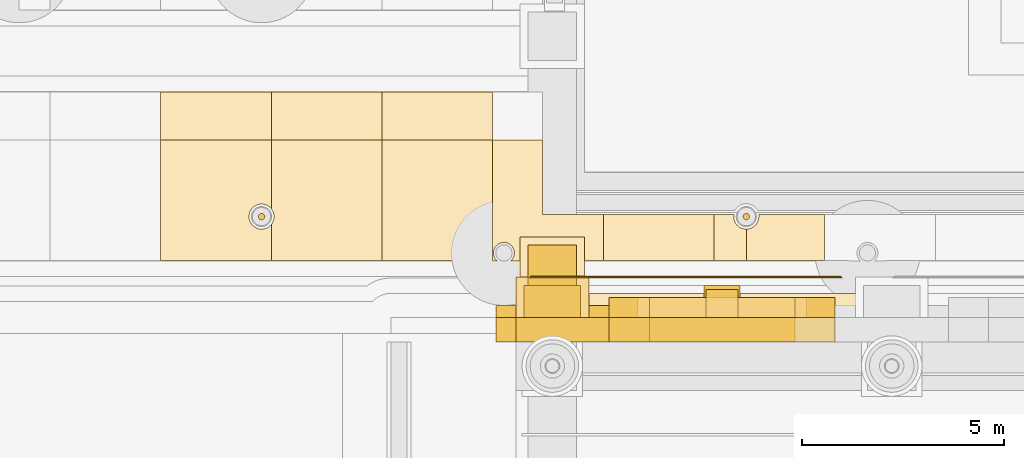
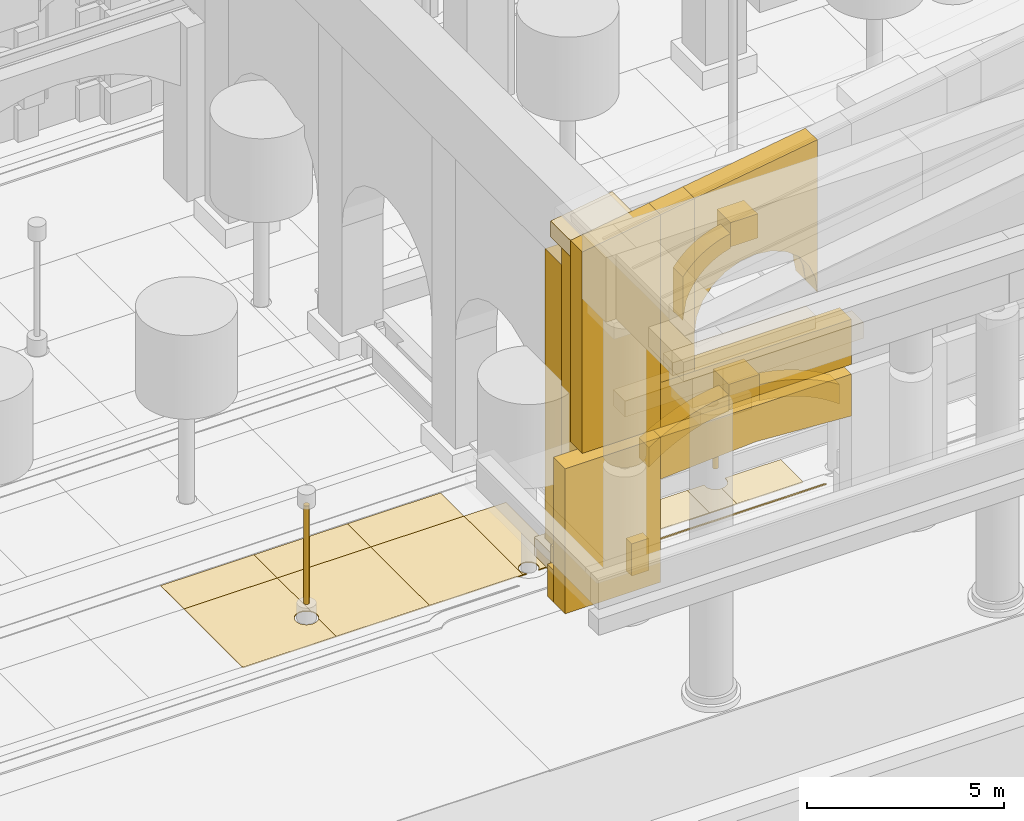
# One storey, part 110 of 222: 34 coverings.
"""IFC4 building model written with IfcOpenShell, lengths in metres."""

from ifc_helpers import new_model, si_unit, direction, frame, origin, origin_2d, place, context, subcontext, project, spatial, polyline, rectangle, circle, outline, extrude, material, layer, layer_set, type_object, element, save


model = new_model("IFC4")

# Units and contexts
model_context = context("Model", 3, precision=1e-05, world=origin(), true_north=direction((0.0, 1.0)))
body_context = subcontext(model_context, "Body", "Model", "MODEL_VIEW")
ifc_project = project(units=[si_unit("LENGTHUNIT", "METRE"), si_unit("AREAUNIT", "SQUARE_METRE"), si_unit("VOLUMEUNIT", "CUBIC_METRE"), si_unit("PLANEANGLEUNIT", "RADIAN"), si_unit("MASSUNIT", "GRAM", prefix="KILO")], contexts=[model_context])

# Site, building, storey
site_placement = place(None, origin())
site = spatial("IfcSite", under=ifc_project, at=site_placement, CompositionType="ELEMENT")
building_placement = place(site_placement, origin())
building = spatial("IfcBuilding", under=site, at=building_placement, Name="Sava Quay Ferry Terminal", CompositionType="ELEMENT")
storey_placement = place(building_placement, origin())
storey = spatial("IfcBuildingStorey", under=building, at=storey_placement, Name="L00", CompositionType="ELEMENT", Elevation=0.0)

# Coverings
ifc_material_1 = material(Name="Limestone Mutalj", Category="masonry")
ifc_layer_1 = layer(ifc_material_1, 0.60009765625)
ifc_layer_set_1 = layer_set([ifc_layer_1], Name="Limestone Mutalj")
covering_type_1 = type_object("IfcCoveringType", Name="Arcade spandrel 600", PredefinedType="CLADDING", material=ifc_layer_set_1)
covering_1_placement = place(storey_placement, frame((26.60009765625, 0.39990234375, 3.199951171875), z_axis=(0.0, 1.0, 0.0), x_axis=(0.0, 0.0, 1.0)))
element("IfcCovering", 1, at=covering_1_placement, inside=storey, type_object=covering_type_1, Name="Arcade spandrel", PredefinedType="CLADDING", context=body_context, shape_type="SweptSolid", body=[
    extrude(outline(polyline([(0.0, 0.0), (1.300048828125, 0.0), (1.300048828125, 5.599853515625), (0.0, 5.599853515625), (0.334228515625, 0.500244140625), (0.60009765625, 1.039794921875), (0.79345703125, 1.609619140625), (0.91064453125, 2.19970703125), (0.949951171875, 2.7998046875), (0.91064453125, 3.400146484375), (0.79345703125, 3.990234375), (0.60009765625, 4.56005859375), (0.334228515625, 5.099609375), (0.0, 0.0)])), origin(), (0.0, 0.0, -1.0), 0.60009765625),
])
ifc_material_2 = material(Name="Limestone Mutalj", Category="masonry")
ifc_layer_2 = layer(ifc_material_2, 0.60009765625)
ifc_layer_set_2 = layer_set([ifc_layer_2], Name="Limestone Mutalj")
covering_type_2 = type_object("IfcCoveringType", Name="Arcade wall pier 2800", PredefinedType="CLADDING", material=ifc_layer_set_2)
covering_2_placement = place(storey_placement, frame((25.199951171875, 0.10009765625, 0.0), z_axis=(0.0, 0.0, 1.0), x_axis=(1.0, 0.0, 0.0)))
element("IfcCovering", 2, at=covering_2_placement, inside=storey, type_object=covering_type_2, Name="Arcade wall pier", PredefinedType="CLADDING", context=body_context, shape_type="SweptSolid", body=[
    extrude(rectangle(XDim=2.800048828125, YDim=0.60009765625, at=origin_2d()), origin(), (0.0, 0.0, 1.0), 4.5),
])
ifc_material_3 = material(Name="Limestone Mutalj", Category="masonry")
ifc_layer_3 = layer(ifc_material_3, 0.5)
ifc_layer_set_3 = layer_set([ifc_layer_3], Name="Limestone Mutalj")
covering_type_3 = type_object("IfcCoveringType", Name="Arch archivolt 500", PredefinedType="MOLDING", material=ifc_layer_set_3)
covering_3_placement = place(storey_placement, frame((26.60009765625, 0.39990234375, 3.199951171875), z_axis=(0.0, -1.0, 0.0), x_axis=(0.806852823611, 0.0, 0.590752504041)))
element("IfcCovering", 3, at=covering_3_placement, inside=storey, type_object=covering_type_3, Name="Arch archivolt", PredefinedType="MOLDING", context=body_context, shape_type="SweptSolid", body=[
    extrude(outline(polyline([(0.0, 0.0), (0.20787509749840927, 0.0), (0.40945697969939554, -0.009008576554329961), (0.604640128868794, -0.02634330518659722), (0.7946838762252251, -0.05111072595207916), (0.979050023977853, -0.08321937103230143), (1.1589979033452982, -0.12177578048254145), (1.333989316536725, -0.16668848648432477), (1.5047066880285258, -0.21785197130348632), (1.671188726772093, -0.2743868249109943), (1.8335409505015914, -0.33697547178324117), (1.991802068168413, -0.40473850189119476), (2.1465102775633937, -0.4777673830533299), (2.2971273808956973, -0.5559706474511719), (2.44419157595616, -0.6394397629031952), (2.7408658681467877, -0.23424048112394869), (2.5948112598852235, -0.14939246680344964), (2.4457806500940458, -0.06902236132657413), (2.2930916142968627, 0.0067643175725125015), (2.1371381235989517, 0.07767911652269655), (1.9775262068950354, 0.14401048889509205), (1.8145056086048346, 0.2052729957659455), (1.6475381309375143, 0.26155810495373144), (1.4770177449983528, 0.3125773630873362), (1.3021177996254005, 0.35802826687995526), (1.1235207192950503, 0.3980163340657535), (0.9402556261597954, 0.4320420758052873), (0.7525722646393578, 0.45962005317480337), (0.5597882102573449, 0.48064474844013677), (0.36215320743347845, 0.49463072267753416), (0.0, 0.0)])), origin(), (0.0, 0.0, -1.0), 0.5),
])
covering_4_placement = place(storey_placement, frame((29.85009765625, 0.39990234375, 4.1279296875), z_axis=(0.0, -1.0, 0.0), x_axis=(0.993288078375, 0.0, -0.115666734017)))
element("IfcCovering", 4, at=covering_4_placement, inside=storey, type_object=covering_type_3, Name="Arch archivolt", PredefinedType="MOLDING", context=body_context, shape_type="SweptSolid", body=[
    extrude(outline(polyline([(0.0, 0.0), (0.16885797084105578, 0.0), (0.33869265632147405, -0.006276812330012302), (0.5090472914454706, -0.01912941685976586), (0.6803786412088295, -0.03825883371953173), (0.8522299406157668, -0.06396404277903885), (1.0251709104570055, -0.09691607205759628), (1.198660068890557, -0.13668639550815445), (1.373267136707145, -0.18394604115002247), (1.5485635878597195, -0.23923649082518875), (1.7250061873440647, -0.3022587646639243), (1.9022793649080703, -0.3745243523972557), (2.0808398855475203, -0.4557342741554538), (2.2603721790103046, -0.5474000196695452), (2.4414177271384108, -0.6499501149865796), (2.3705097268655018, -0.041027662642972085), (2.191469144097561, 0.0443047926436376), (2.0136594265075956, 0.12117791784989947), (1.8365673312023516, 0.18977773705060355), (1.6606213842288784, 0.2506457320877383), (1.4853083426939224, 0.3039679270360939), (1.3110002547470634, 0.3507708076821776), (1.1372685943412522, 0.3905128921840011), (0.9645136485748037, 0.42397816435581226), (0.7922504135031985, 0.4511101463001416), (0.6209356541222211, 0.47220781788671823), (0.4500561275386178, 0.4874572031903321), (0.2800968376969075, 0.49691478010845264), (0.1105727806525713, 0.5005240707436104), (-0.05808751754734136, 0.49882655693779393), (0.0, 0.0)])), origin(), (0.0, 0.0, -1.0), 0.5),
])
ifc_material_4 = material(Name="Limestone Mutalj", Category="masonry")
ifc_layer_4 = layer(ifc_material_4, 0.800048828125)
ifc_layer_set_4 = layer_set([ifc_layer_4], Name="Limestone Mutalj")
covering_type_4 = type_object("IfcCoveringType", Name="Arch keystone 900", PredefinedType="CLADDING", material=ifc_layer_set_4)
covering_5_placement = place(storey_placement, frame((29.39990234375, 0.800048828125, 4.14990234375), z_axis=(0.0, 0.0, 1.0), x_axis=(1.0, 0.0, 0.0)))
element("IfcCovering", 5, at=covering_5_placement, inside=storey, type_object=covering_type_4, Name="Arch keystone", PredefinedType="CLADDING", context=body_context, shape_type="SweptSolid", body=[
    extrude(rectangle(XDim=0.89990234375, YDim=0.800048828125, at=origin_2d()), origin(), (0.0, 0.0, 1.0), 0.800048828125),
])
ifc_material_5 = material(Name="Limestone Mutalj", Category="masonry")
ifc_layer_5 = layer(ifc_material_5, 0.60009765625)
ifc_layer_set_5 = layer_set([ifc_layer_5], Name="Limestone Mutalj")
covering_type_5 = type_object("IfcCoveringType", Name="Attic arch head panel 600", PredefinedType="CLADDING", material=ifc_layer_set_5)
covering_6_placement = place(storey_placement, frame((27.60009765625, -0.199951171875, 7.39990234375), z_axis=(0.0, -1.0, 0.0), x_axis=(0.130360467782, 0.0, 0.991466665319)))
element("IfcCovering", 6, at=covering_6_placement, inside=storey, type_object=covering_type_5, Name="Attic arch head panel", PredefinedType="CLADDING", context=body_context, shape_type="SweptSolid", body=[
    extrude(outline(polyline([(0.0, 0.0), (0.47007576696975106, -6.938893903907228e-18), (0.9239096038088954, -0.12180908706656961), (1.3307996686807666, -0.3566594363796859), (1.6628474956806976, -0.6890123392533513), (1.8978308560459949, -1.095934230411302), (2.0193117900114737, -1.5497911444778028), (2.0193117900114737, -2.019866911447554), (1.8975027029449039, -2.473700748286698), (1.6626523536317879, -2.880590813158569), (1.3302994507581225, -3.2126386401585), (0.9233775596001718, -3.4476220005237974), (0.46927858824233326, -3.5691347607753556), (5.148972201675358, -2.9538371720002434), (4.126108588143555, 0.5425108725112793), (0.0, 0.0)])), origin(), (0.0, 0.0, -1.0), 0.60009765625),
])
ifc_material_6 = material(Name="Limestone Mutalj", Category="masonry")
ifc_layer_6 = layer(ifc_material_6, 0.60009765625)
ifc_layer_set_6 = layer_set([ifc_layer_6], Name="Limestone Mutalj")
covering_type_6 = type_object("IfcCoveringType", Name="Attic wall pier 2800", PredefinedType="CLADDING", material=ifc_layer_set_6)
covering_7_placement = place(storey_placement, frame((24.300048828125, -0.199951171875, 4.800048828125), z_axis=(0.0, -1.0, 0.0), x_axis=(1.0, 0.0, 0.0)))
element("IfcCovering", 7, at=covering_7_placement, inside=storey, type_object=covering_type_6, Name="Attic wall pier", PredefinedType="CLADDING", context=body_context, shape_type="SweptSolid", body=[
    extrude(outline(polyline([(0.0, 0.0), (2.300048828125, 0.0), (2.300048828125, 6.6064453125), (0.0, 6.25), (0.0, 0.0)])), origin(), (0.0, 0.0, -1.0), 0.60009765625),
])
ifc_material_7 = material(Name="Limestone Mutalj", Category="masonry")
ifc_layer_7 = layer(ifc_material_7, 0.60009765625)
ifc_layer_set_7 = layer_set([ifc_layer_7], Name="Limestone Mutalj")
covering_type_7 = type_object("IfcCoveringType", Name="Attic window jamb panel 600", PredefinedType="CLADDING", material=ifc_layer_set_7)
covering_8_placement = place(storey_placement, frame((26.60009765625, -0.199951171875, 6.199951171875), z_axis=(0.0, -1.0, 0.0), x_axis=(1.0, 0.0, 0.0)))
element("IfcCovering", 8, at=covering_8_placement, inside=storey, type_object=covering_type_7, Name="Attic window jamb panel", PredefinedType="CLADDING", context=body_context, shape_type="SweptSolid", body=[
    extrude(outline(polyline([(0.0, 0.0), (1.0, 0.0), (1.0, 5.361572265625), (0.0, 5.20654296875), (0.0, 0.0)])), origin(), (0.0, 0.0, -1.0), 0.60009765625),
])
ifc_material_8 = material(Name="Limestone Mutalj", Category="masonry")
ifc_layer_8 = layer(ifc_material_8, 0.60009765625)
ifc_layer_set_8 = layer_set([ifc_layer_8], Name="Limestone Mutalj")
covering_type_8 = type_object("IfcCoveringType", Name="Attic window sill panel 600", PredefinedType="CLADDING", material=ifc_layer_set_8)
covering_9_placement = place(storey_placement, frame((26.60009765625, -0.199951171875, 4.800048828125), z_axis=(0.0, -1.0, 0.0), x_axis=(1.0, 0.0, 0.0)))
element("IfcCovering", 9, at=covering_9_placement, inside=storey, type_object=covering_type_8, Name="Attic window sill panel", PredefinedType="CLADDING", context=body_context, shape_type="SweptSolid", body=[
    extrude(outline(polyline([(0.0, 0.0), (5.599853515625, 0.0), (5.599853515625, 1.39990234375), (0.0, 1.39990234375), (0.0, 0.0)])), origin(), (0.0, 0.0, -1.0), 0.60009765625),
])
ifc_material_9 = material(Name="Limestone Mutalj", Category="masonry")
ifc_layer_9 = layer(ifc_material_9, 0.800048828125)
ifc_layer_set_9 = layer_set([ifc_layer_9], Name="Limestone Mutalj")
covering_type_9 = type_object("IfcCoveringType", Name="Back wall pilaster 800", PredefinedType="CLADDING", material=ifc_layer_set_9)
covering_10_placement = place(storey_placement, frame((24.5, 0.39990234375, 1.0), z_axis=(0.0, -1.0, 0.0), x_axis=(1.0, 0.0, 0.0)))
element("IfcCovering", 10, at=covering_10_placement, inside=storey, type_object=covering_type_9, Name="Back wall pilaster", PredefinedType="CLADDING", context=body_context, shape_type="SweptSolid", body=[
    extrude(outline(polyline([(0.0, 0.0), (1.39990234375, 0.0), (1.39990234375, 9.798095703125), (0.0, 9.5810546875), (0.0, 0.0)])), origin(), (0.0, 0.0, -1.0), 0.800048828125),
])
ifc_material_10 = material(Name="Limestone Mutalj", Category="masonry")
ifc_layer_10 = layer(ifc_material_10, 1.0)
ifc_layer_set_10 = layer_set([ifc_layer_10], Name="Limestone Mutalj")
covering_type_10 = type_object("IfcCoveringType", Name="Back wall pilaster base 1000", PredefinedType="MOLDING", material=ifc_layer_set_10)
covering_11_placement = place(storey_placement, frame((25.199951171875, 0.89990234375, 0.0), z_axis=(0.0, 0.0, 1.0), x_axis=(1.0, 0.0, 0.0)))
element("IfcCovering", 11, at=covering_11_placement, inside=storey, type_object=covering_type_10, Name="Back wall pilaster base", PredefinedType="MOLDING", context=body_context, shape_type="SweptSolid", body=[
    extrude(rectangle(XDim=1.800048828125, YDim=1.0, at=origin_2d()), origin(), (0.0, 0.0, 1.0), 1.0),
])
ifc_material_11 = material(Name="Limestone Mutalj", Category="masonry")
ifc_layer_11 = layer(ifc_material_11, 1.0)
ifc_layer_set_11 = layer_set([ifc_layer_11], Name="Limestone Mutalj")
covering_type_11 = type_object("IfcCoveringType", Name="Back wall pilaster capital 1000", PredefinedType="MOLDING", material=ifc_layer_set_11)
covering_12_placement = place(storey_placement, frame((24.300048828125, 0.39990234375, 10.550048828125), z_axis=(0.0, -1.0, 0.0), x_axis=(0.988195952481, 0.0, 0.153195168003)))
element("IfcCovering", 12, at=covering_12_placement, inside=storey, type_object=covering_type_11, Name="Back wall pilaster capital", PredefinedType="MOLDING", context=body_context, shape_type="SweptSolid", body=[
    extrude(outline(polyline([(0.0, 0.0), (1.8215504967462062, 0.0), (1.8981480807477107, 0.4940979762406768), (0.07659758400150464, 0.49409797624067686), (0.0, 0.0)])), origin(), (0.0, 0.0, -1.0), 1.0),
])
ifc_material_12 = material(Name="Basalt setts", Category="masonry")
ifc_layer_12 = layer(ifc_material_12, 0.02001953125)
ifc_layer_set_12 = layer_set([ifc_layer_12], Name="Basalt setts")
covering_type_12 = type_object("IfcCoveringType", Name="Basalt inlay line 20", PredefinedType="FLOORING", material=ifc_layer_set_12)
covering_13_placement = place(storey_placement, frame((0.0, 0.0, 0.050048828125)))
element("IfcCovering", 13, at=covering_13_placement, inside=storey, type_object=covering_type_12, Name="Basalt inlay line", PredefinedType="FLOORING", context=body_context, shape_type="SweptSolid", body=[
    extrude(outline(polyline([(32.3759765625, 1.3798828125), (32.339111328125, 1.419921875), (24.659912109375, 1.419921875), (24.6240234375, 1.3798828125), (32.3759765625, 1.3798828125)])), origin(), (0.0, 0.0, 1.0), 0.02001953125),
])
ifc_material_13 = material(Name="Limestone Mutalj", Category="masonry")
ifc_layer_13 = layer(ifc_material_13, 0.030029296875)
ifc_layer_set_13 = layer_set([ifc_layer_13], Name="Limestone Mutalj")
covering_type_13 = type_object("IfcCoveringType", Name="Court paving tile 30", PredefinedType="FLOORING", material=ifc_layer_set_13)
covering_14_placement = place(storey_placement, origin())
element("IfcCovering", 14, at=covering_14_placement, inside=storey, type_object=covering_type_13, Name="Limestone paving tile", PredefinedType="FLOORING", context=body_context, shape_type="SweptSolid", body=[
    extrude(outline(polyline([(18.239990234375, 4.800048828125), (18.239990234375, 5.989990234375), (15.5, 5.989990234375), (15.5, 4.800048828125), (18.239990234375, 4.800048828125)])), origin(), (0.0, 0.0, 1.0), 0.030029296875),
])
covering_15_placement = place(storey_placement, origin())
element("IfcCovering", 15, at=covering_15_placement, inside=storey, type_object=covering_type_13, Name="Limestone paving tile", PredefinedType="FLOORING", context=body_context, shape_type="SweptSolid", body=[
    extrude(outline(polyline([(18.239990234375, 4.800048828125), (18.239990234375, 3.095947265625), (18.258056640625, 3.072021484375), (18.27392578125, 3.0458984375), (18.287109375, 3.01806640625), (18.2958984375, 2.989990234375), (18.303955078125, 2.9599609375), (18.30908203125, 2.929931640625), (18.31005859375, 2.89990234375), (18.30908203125, 2.8701171875), (18.303955078125, 2.840087890625), (18.2958984375, 2.81005859375), (18.287109375, 2.781982421875), (18.27392578125, 2.75390625), (18.258056640625, 2.72802734375), (18.239990234375, 2.7041015625), (18.239990234375, 1.81005859375), (20.97998046875, 1.81005859375), (20.97998046875, 4.800048828125), (18.239990234375, 4.800048828125)])), origin(), (0.0, 0.0, 1.0), 0.030029296875),
])
covering_16_placement = place(storey_placement, origin())
element("IfcCovering", 16, at=covering_16_placement, inside=storey, type_object=covering_type_13, Name="Limestone paving tile", PredefinedType="FLOORING", context=body_context, shape_type="SweptSolid", body=[
    extrude(outline(polyline([(23.719970703125, 4.800048828125), (23.719970703125, 5.989990234375), (20.97998046875, 5.989990234375), (20.97998046875, 4.800048828125), (23.719970703125, 4.800048828125)])), origin(), (0.0, 0.0, 1.0), 0.030029296875),
])
covering_17_placement = place(storey_placement, origin())
element("IfcCovering", 17, at=covering_17_placement, inside=storey, type_object=covering_type_13, Name="Limestone paving tile", PredefinedType="FLOORING", context=body_context, shape_type="SweptSolid", body=[
    extrude(outline(polyline([(24.4580078125, 1.81005859375), (26.4599609375, 1.81005859375), (26.4599609375, 2.949951171875), (24.949951171875, 2.949951171875), (24.949951171875, 4.800048828125), (23.719970703125, 4.800048828125), (23.719970703125, 1.800048828125), (23.833984375, 1.800048828125), (23.799072265625, 1.8349609375), (23.77001953125, 1.8779296875), (23.7509765625, 1.924072265625), (23.7451171875, 1.948974609375), (23.740966796875, 1.97412109375), (23.739990234375, 2.0), (23.740966796875, 2.02587890625), (23.7509765625, 2.075927734375), (23.760009765625, 2.10009765625), (23.77099609375, 2.123046875), (23.799072265625, 2.1650390625), (23.8349609375, 2.200927734375), (23.85498046875, 2.216064453125), (23.876953125, 2.22900390625), (23.89990234375, 2.239990234375), (23.925048828125, 2.2490234375), (23.97509765625, 2.259033203125), (24.0, 2.260009765625), (24.02587890625, 2.259033203125), (24.074951171875, 2.2490234375), (24.10009765625, 2.239990234375), (24.123046875, 2.22900390625), (24.1650390625, 2.200927734375), (24.200927734375, 2.1650390625), (24.216064453125, 2.14404296875), (24.22900390625, 2.123046875), (24.2490234375, 2.074951171875), (24.2548828125, 2.051025390625), (24.259033203125, 2.02490234375), (24.260009765625, 2.0), (24.259033203125, 1.97509765625), (24.2548828125, 1.948974609375), (24.2490234375, 1.924072265625), (24.22900390625, 1.876953125), (24.216064453125, 1.85498046875), (24.200927734375, 1.8349609375), (24.166015625, 1.800048828125), (24.447021484375, 1.800048828125), (24.450927734375, 1.80810546875), (24.4580078125, 1.81005859375)])), origin(), (0.0, 0.0, 1.0), 0.030029296875),
])
covering_18_placement = place(storey_placement, origin())
element("IfcCovering", 18, at=covering_18_placement, inside=storey, type_object=covering_type_13, Name="Limestone paving tile", PredefinedType="FLOORING", context=body_context, shape_type="SweptSolid", body=[
    extrude(outline(polyline([(29.199951171875, 2.949951171875), (29.199951171875, 1.81005859375), (30.0, 1.81005859375), (30.0, 2.590087890625), (29.968994140625, 2.592041015625), (29.93896484375, 2.595947265625), (29.881103515625, 2.614013671875), (29.85302734375, 2.626953125), (29.826904296875, 2.64306640625), (29.802978515625, 2.660888671875), (29.780029296875, 2.680908203125), (29.760009765625, 2.7041015625), (29.741943359375, 2.72802734375), (29.72607421875, 2.75390625), (29.712890625, 2.781982421875), (29.702880859375, 2.81005859375), (29.69091796875, 2.8701171875), (29.68994140625, 2.89990234375), (29.695068359375, 2.949951171875), (29.199951171875, 2.949951171875)])), origin(), (0.0, 0.0, 1.0), 0.030029296875),
])
covering_19_placement = place(storey_placement, origin())
element("IfcCovering", 19, at=covering_19_placement, inside=storey, type_object=covering_type_13, Name="Limestone paving tile", PredefinedType="FLOORING", context=body_context, shape_type="SweptSolid", body=[
    extrude(outline(polyline([(30.0, 2.590087890625), (30.0, 1.81005859375), (31.93994140625, 1.81005859375), (31.93994140625, 2.949951171875), (30.305908203125, 2.949951171875), (30.30908203125, 2.929931640625), (30.31005859375, 2.89990234375), (30.30810546875, 2.868896484375), (30.303955078125, 2.839111328125), (30.285888671875, 2.781005859375), (30.27294921875, 2.7529296875), (30.257080078125, 2.72705078125), (30.239013671875, 2.702880859375), (30.218994140625, 2.679931640625), (30.196044921875, 2.659912109375), (30.172119140625, 2.64208984375), (30.14599609375, 2.6259765625), (30.117919921875, 2.613037109375), (30.090087890625, 2.60302734375), (30.030029296875, 2.591064453125), (30.0, 2.590087890625)])), origin(), (0.0, 0.0, 1.0), 0.030029296875),
])
ifc_material_14 = material(Name="Red sandstone Vrsac", Category="masonry")
ifc_layer_14 = layer(ifc_material_14, 0.030029296875)
ifc_layer_set_14 = layer_set([ifc_layer_14], Name="Red sandstone Vrsac")
covering_type_14 = type_object("IfcCoveringType", Name="Court paving tile sandstone 30", PredefinedType="FLOORING", material=ifc_layer_set_14)
covering_20_placement = place(storey_placement, origin())
element("IfcCovering", 20, at=covering_20_placement, inside=storey, type_object=covering_type_14, Name="Sandstone paving tile", PredefinedType="FLOORING", context=body_context, shape_type="SweptSolid", body=[
    extrude(outline(polyline([(18.239990234375, 1.81005859375), (18.239990234375, 2.7041015625), (18.218994140625, 2.679931640625), (18.196044921875, 2.659912109375), (18.173095703125, 2.64306640625), (18.14599609375, 2.6259765625), (18.118896484375, 2.614013671875), (18.090087890625, 2.60400390625), (18.06103515625, 2.595947265625), (18.031005859375, 2.592041015625), (18.0, 2.590087890625), (17.969970703125, 2.591064453125), (17.93994140625, 2.595947265625), (17.909912109375, 2.60400390625), (17.881103515625, 2.614013671875), (17.85302734375, 2.626953125), (17.826904296875, 2.64306640625), (17.803955078125, 2.659912109375), (17.780029296875, 2.680908203125), (17.760986328125, 2.702880859375), (17.742919921875, 2.72705078125), (17.72607421875, 2.75390625), (17.712890625, 2.781982421875), (17.7041015625, 2.81005859375), (17.696044921875, 2.840087890625), (17.69091796875, 2.8701171875), (17.68994140625, 2.89990234375), (17.69091796875, 2.929931640625), (17.696044921875, 2.9599609375), (17.702880859375, 2.989990234375), (17.712890625, 3.01806640625), (17.72705078125, 3.047119140625), (17.741943359375, 3.072021484375), (17.760009765625, 3.095947265625), (17.781005859375, 3.1201171875), (17.803955078125, 3.139892578125), (17.826904296875, 3.156982421875), (17.85400390625, 3.174072265625), (17.881103515625, 3.18603515625), (17.909912109375, 3.196044921875), (17.93896484375, 3.2041015625), (17.968994140625, 3.2080078125), (18.0, 3.2099609375), (18.030029296875, 3.208984375), (18.06005859375, 3.2041015625), (18.090087890625, 3.196044921875), (18.118896484375, 3.18603515625), (18.14599609375, 3.174072265625), (18.173095703125, 3.156982421875), (18.196044921875, 3.139892578125), (18.218994140625, 3.1201171875), (18.239990234375, 3.095947265625), (18.239990234375, 4.800048828125), (15.5, 4.800048828125), (15.5, 1.81005859375), (18.239990234375, 1.81005859375)])), origin(), (0.0, 0.0, 1.0), 0.030029296875),
])
covering_21_placement = place(storey_placement, origin())
element("IfcCovering", 21, at=covering_21_placement, inside=storey, type_object=covering_type_14, Name="Sandstone paving tile", PredefinedType="FLOORING", context=body_context, shape_type="SweptSolid", body=[
    extrude(outline(polyline([(20.97998046875, 4.800048828125), (20.97998046875, 5.989990234375), (18.239990234375, 5.989990234375), (18.239990234375, 4.800048828125), (20.97998046875, 4.800048828125)])), origin(), (0.0, 0.0, 1.0), 0.030029296875),
])
covering_22_placement = place(storey_placement, origin())
element("IfcCovering", 22, at=covering_22_placement, inside=storey, type_object=covering_type_14, Name="Sandstone paving tile", PredefinedType="FLOORING", context=body_context, shape_type="SweptSolid", body=[
    extrude(outline(polyline([(20.97998046875, 4.800048828125), (20.97998046875, 1.81005859375), (23.5419921875, 1.81005859375), (23.548095703125, 1.80810546875), (23.552978515625, 1.800048828125), (23.719970703125, 1.800048828125), (23.719970703125, 4.800048828125), (20.97998046875, 4.800048828125)])), origin(), (0.0, 0.0, 1.0), 0.030029296875),
])
covering_23_placement = place(storey_placement, origin())
element("IfcCovering", 23, at=covering_23_placement, inside=storey, type_object=covering_type_14, Name="Sandstone paving tile", PredefinedType="FLOORING", context=body_context, shape_type="SweptSolid", body=[
    extrude(outline(polyline([(26.4599609375, 1.81005859375), (29.199951171875, 1.81005859375), (29.199951171875, 2.949951171875), (26.4599609375, 2.949951171875), (26.4599609375, 1.81005859375)])), origin(), (0.0, 0.0, 1.0), 0.030029296875),
])
ifc_material_15 = material(Name="Limestone Mutalj", Category="masonry")
ifc_layer_15 = layer(ifc_material_15, 0.60009765625)
ifc_layer_set_15 = layer_set([ifc_layer_15], Name="Limestone Mutalj")
covering_type_15 = type_object("IfcCoveringType", Name="Face string course 600", PredefinedType="MOLDING", material=ifc_layer_set_15)
covering_24_placement = place(storey_placement, frame((29.39990234375, 0.699951171875, 5.0), z_axis=(0.0, 0.0, 1.0), x_axis=(1.0, 0.0, 0.0)))
element("IfcCovering", 24, at=covering_24_placement, inside=storey, type_object=covering_type_15, Name="Face string course", PredefinedType="MOLDING", context=body_context, shape_type="SweptSolid", body=[
    extrude(rectangle(XDim=7.0, YDim=0.60009765625, at=origin_2d()), origin(), (0.0, 0.0, 1.0), 0.5),
])
ifc_material_16 = material(Name="Steel S355", Category="steel")
ifc_layer_16 = layer(ifc_material_16, 0.159912109375)
ifc_layer_set_16 = layer_set([ifc_layer_16], Name="Steel S355")
covering_type_16 = type_object("IfcCoveringType", Name="Lamp standard column 160", PredefinedType="CLADDING", material=ifc_layer_set_16)
for number, where, z_axis, x_axis, name in (
    (25, (18.0, 2.89990234375, 3.550048828125), (0.0, 0.0, -1.0), (1.0, 0.0, 0.0), "Lamp standard column"),
    (26, (30.0, 2.89990234375, 3.550048828125), (0.0, 0.0, -1.0), (1.0, 0.0, 0.0), "Lamp standard column"),
):
    element("IfcCovering", number, at=place(storey_placement, frame(where, z_axis=z_axis, x_axis=x_axis)), inside=storey, type_object=covering_type_16, Name=name, PredefinedType="CLADDING", context=body_context, shape_type="SweptSolid", body=[
        extrude(circle(Radius=0.080078125, at=origin_2d()), origin(), (0.0, 0.0, 1.0), 3.050048828125),
    ])
ifc_material_17 = material(Name="Limestone Mutalj", Category="masonry")
ifc_layer_17 = layer(ifc_material_17, 0.300048828125)
ifc_layer_set_17 = layer_set([ifc_layer_17], Name="Limestone Mutalj")
covering_type_17 = type_object("IfcCoveringType", Name="Pier rustication block 300", PredefinedType="CLADDING", material=ifc_layer_set_17)
for number, where, z_axis, x_axis, name in (
    (27, (24.050048828125, 0.550048828125, 0.0), (0.0, 0.0, 1.0), (1.0, 0.0, 0.0), "Pier rustication block"),
    (28, (26.35009765625, 0.550048828125, 0.0), (0.0, 0.0, 1.0), (1.0, 0.0, 0.0), "Pier rustication block"),
):
    element("IfcCovering", number, at=place(storey_placement, frame(where, z_axis=z_axis, x_axis=x_axis)), inside=storey, type_object=covering_type_17, Name=name, PredefinedType="CLADDING", context=body_context, shape_type="SweptSolid", body=[
        extrude(rectangle(XDim=0.5, YDim=0.300048828125, at=origin_2d()), origin(), (0.0, 0.0, 1.0), 1.0),
    ])
ifc_material_18 = material(Name="Limestone Mutalj", Category="masonry")
ifc_layer_18 = layer(ifc_material_18, 1.199951171875)
ifc_layer_set_18 = layer_set([ifc_layer_18], Name="Limestone Mutalj")
covering_type_18 = type_object("IfcCoveringType", Name="Return pier 1200", PredefinedType="CLADDING", material=ifc_layer_set_18)
covering_25_placement = place(storey_placement, frame((25.199951171875, 1.60009765625, 0.60009765625), z_axis=(0.0, 0.0, 1.0), x_axis=(1.0, 0.0, 0.0)))
element("IfcCovering", 29, at=covering_25_placement, inside=storey, type_object=covering_type_18, Name="Return pier", PredefinedType="CLADDING", context=body_context, shape_type="SweptSolid", body=[
    extrude(rectangle(XDim=1.199951171875, YDim=1.199951171875, at=origin_2d()), origin(), (0.0, 0.0, 1.0), 9.0),
])
ifc_material_19 = material(Name="Limestone Mutalj", Category="masonry")
ifc_layer_19 = layer(ifc_material_19, 1.60009765625)
ifc_layer_set_19 = layer_set([ifc_layer_19], Name="Limestone Mutalj")
covering_type_19 = type_object("IfcCoveringType", Name="Return pier base 1600", PredefinedType="MOLDING", material=ifc_layer_set_19)
covering_26_placement = place(storey_placement, frame((25.199951171875, 1.60009765625, 0.0), z_axis=(0.0, 0.0, 1.0), x_axis=(1.0, 0.0, 0.0)))
element("IfcCovering", 30, at=covering_26_placement, inside=storey, type_object=covering_type_19, Name="Return pier base", PredefinedType="MOLDING", context=body_context, shape_type="SweptSolid", body=[
    extrude(rectangle(XDim=1.60009765625, YDim=1.60009765625, at=origin_2d()), origin(), (0.0, 0.0, 1.0), 0.60009765625),
])
ifc_material_20 = material(Name="Limestone Mutalj", Category="masonry")
ifc_layer_20 = layer(ifc_material_20, 0.5)
ifc_layer_set_20 = layer_set([ifc_layer_20], Name="Limestone Mutalj")
covering_type_20 = type_object("IfcCoveringType", Name="Window archivolt 450", PredefinedType="MOLDING", material=ifc_layer_set_20)
covering_27_placement = place(storey_placement, frame((27.60009765625, 0.39990234375, 7.39990234375), z_axis=(0.0, -1.0, 0.0), x_axis=(0.166377641134, 0.0, 0.986062107846)))
element("IfcCovering", 31, at=covering_27_placement, inside=storey, type_object=covering_type_20, Name="Window archivolt", PredefinedType="MOLDING", context=body_context, shape_type="SweptSolid", body=[
    extrude(outline(polyline([(0.0, 0.0), (0.6001618663680972, 0.0), (0.8464797579087572, -0.05995146351930278), (1.03112814816772, -0.13006079179019225), (1.1823546010854897, -0.20605697412004037), (1.3109516989892047, -0.28587139333138545), (1.4228972678200338, -0.36824782307261594), (1.521402138311442, -0.45313968494552603), (1.609033187393127, -0.5396186883573009), (1.686834605424868, -0.6280038307813677), (1.7564509376004613, -0.7177700376093801), (1.8183230400172117, -0.8085953319394548), (1.8732543652155995, -0.9008393307863108), (1.921404411932338, -0.9939799389700591), (1.9635766327079072, -1.088376773505419), (2.416404470808302, -1.0119714163341889), (2.379528482057299, -0.9166809518903936), (2.338119094280917, -0.8224029965504548), (2.2916135927579755, -0.7287373137583606), (2.2400932165710588, -0.6361653791527075), (2.1832359888182835, -0.5442463366361916), (2.1206010534023454, -0.453302163110696), (2.0519882920452384, -0.36361421593681204), (1.9765942522064819, -0.27482287809982003), (1.8940186973300643, -0.18749086432090212), (1.8034581748755054, -0.10125855758533892), (1.703749615287605, -0.016569793418891476), (1.5932484733725667, 0.06605035357009414), (1.4699476074934175, 0.14675840268987458), (1.3312801407204597, 0.22462606334763535), (0.0, 0.0)])), origin(), (0.0, 0.0, -1.0), 0.5),
])
covering_28_placement = place(storey_placement, frame((29.800048828125, 0.39990234375, 9.155029296875), z_axis=(0.0, -1.0, 0.0), x_axis=(0.96801818973, 0.0, -0.250880019832)))
element("IfcCovering", 32, at=covering_28_placement, inside=storey, type_object=covering_type_20, Name="Window archivolt", PredefinedType="MOLDING", context=body_context, shape_type="SweptSolid", body=[
    extrude(outline(polyline([(0.0, 0.0), (0.10315251994676819, 3.469446951953614e-18), (0.20807262258043546, -0.005847064141461848), (0.3147077253496753, -0.0183114401267839), (0.42288274569347745, -0.03769071052666015), (0.5332540987580718, -0.06457137302896335), (0.6454716194214378, -0.09954859277508149), (0.760436722849173, -0.14415419771629584), (0.8781580764947927, -0.199394768120857), (0.9990730978457054, -0.2679312122179804), (1.1244507020965597, -0.3527133533540602), (1.2553494742366984, -0.4597720056850839), (1.39499832961571, -0.5996196346647147), (1.5503271862342425, -0.7999684005024956), (1.7954572174044825, -1.3477872881477784), (1.4567446906289003, -0.040868198985391124), (1.3290309187405394, 0.053901159921320885), (1.2050008145962063, 0.1334839846086534), (1.0842169607084928, 0.20054118330582205), (0.9664256896045159, 0.25702466654448575), (0.8507255861186783, 0.304466262275926), (0.7372830653584747, 0.3441701333390871), (0.6254417121776752, 0.37672277742184185), (0.5153153591324484, 0.40265810966073645), (0.4069565887741206, 0.42274637775816915), (0.2998314859661457, 0.4371014142703084), (0.1942902158305443, 0.4463183843385422), (0.08979886323077019, 0.450511120519039), (-0.013406239267324524, 0.4497408728166407), (-0.1152112591075714, 0.4445415563678934), (0.0, 0.0)])), origin(), (0.0, 0.0, -1.0), 0.5),
])
ifc_material_21 = material(Name="Limestone Mutalj", Category="masonry")
ifc_layer_21 = layer(ifc_material_21, 0.699951171875)
ifc_layer_set_21 = layer_set([ifc_layer_21], Name="Limestone Mutalj")
covering_type_21 = type_object("IfcCoveringType", Name="Window keystone 800", PredefinedType="CLADDING", material=ifc_layer_set_21)
covering_29_placement = place(storey_placement, frame((29.39990234375, 0.75, 9.199951171875), z_axis=(0.0, 0.0, 1.0), x_axis=(1.0, 0.0, 0.0)))
element("IfcCovering", 33, at=covering_29_placement, inside=storey, type_object=covering_type_21, Name="Window keystone", PredefinedType="CLADDING", context=body_context, shape_type="SweptSolid", body=[
    extrude(rectangle(XDim=0.800048828125, YDim=0.699951171875, at=origin_2d()), origin(), (0.0, 0.0, 1.0), 0.75),
])
ifc_material_22 = material(Name="Limestone Mutalj", Category="masonry")
ifc_layer_22 = layer(ifc_material_22, 0.5)
ifc_layer_set_22 = layer_set([ifc_layer_22], Name="Limestone Mutalj")
covering_type_22 = type_object("IfcCoveringType", Name="Window sill band 400", PredefinedType="MOLDING", material=ifc_layer_set_22)
covering_30_placement = place(storey_placement, frame((29.39990234375, 0.64990234375, 5.800048828125), z_axis=(0.0, 0.0, 1.0), x_axis=(1.0, 0.0, 0.0)))
element("IfcCovering", 34, at=covering_30_placement, inside=storey, type_object=covering_type_22, Name="Window sill band", PredefinedType="MOLDING", context=body_context, shape_type="SweptSolid", body=[
    extrude(rectangle(XDim=4.199951171875, YDim=0.5, at=origin_2d()), origin(), (0.0, 0.0, 1.0), 0.39990234375),
])

save(model, "model.ifc")
